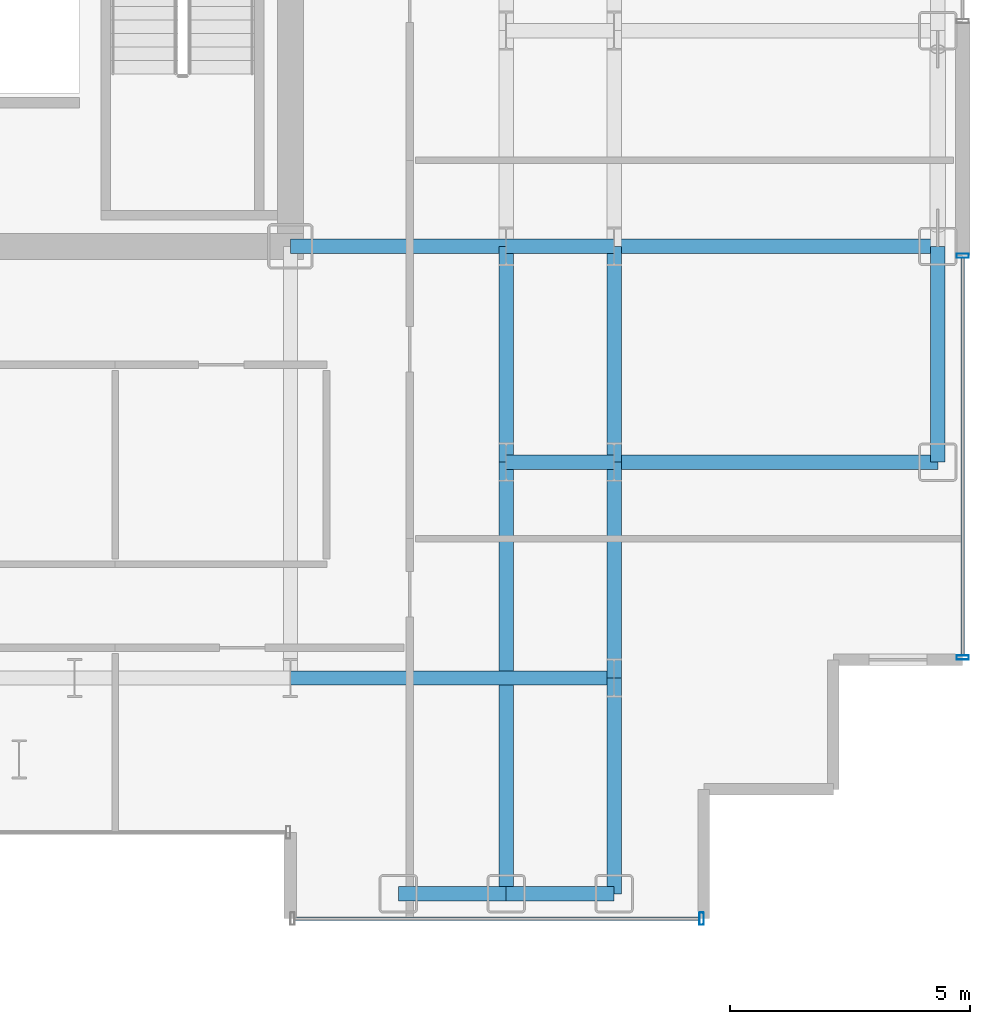
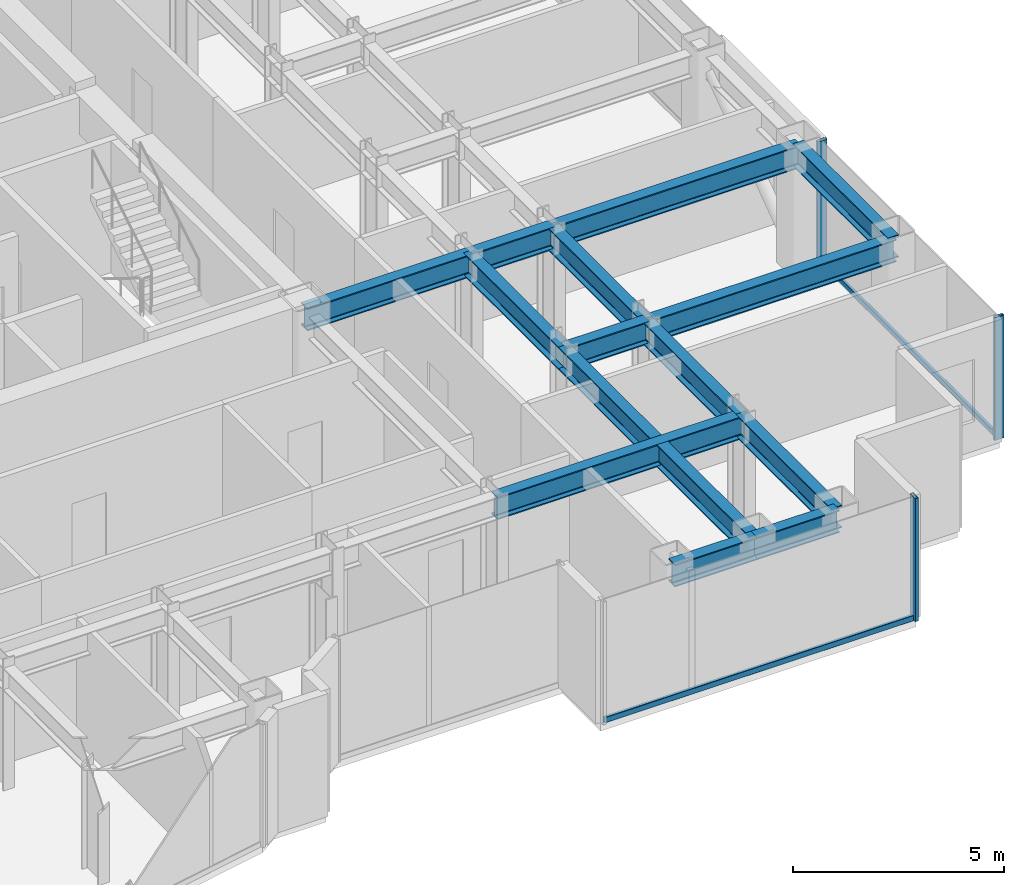
# One storey, part 10 of 26: 14 beams, 5 members, 2 elements without a shape of their own.
"""IFC4 building model written with IfcOpenShell, lengths in metres."""

from ifc_helpers import new_model, si_unit, direction, frame, origin, origin_2d, place, context, subcontext, project, spatial, hollow_rectangle, i_section, extrude, source, transform, mapped, material, layer, layer_set, material_profile, profile_set, type_object, element, aggregate, save


model = new_model("IFC4")

# Units and contexts
model_context = context("Model", 3, precision=1e-05, world=origin(), true_north=direction((0.0, 1.0)))
body_context = subcontext(model_context, "Body", "Model", "MODEL_VIEW")
ifc_project = project(units=[si_unit("LENGTHUNIT", "METRE"), si_unit("AREAUNIT", "SQUARE_METRE"), si_unit("VOLUMEUNIT", "CUBIC_METRE"), si_unit("PLANEANGLEUNIT", "RADIAN"), si_unit("MASSUNIT", "GRAM", prefix="KILO")], contexts=[model_context])

# Site, building, storey
site_placement = place(None, origin())
site = spatial("IfcSite", under=ifc_project, at=site_placement, CompositionType="ELEMENT")
building_placement = place(site_placement, origin())
building = spatial("IfcBuilding", under=site, at=building_placement, Name="Nefas-Gora Pilgrimage Tower", CompositionType="ELEMENT")
storey_placement = place(building_placement, frame((0.0, 0.0, 160.199951171875)))
storey = spatial("IfcBuildingStorey", under=building, at=storey_placement, Name="L39", CompositionType="ELEMENT", Elevation=160.199951171875)

# Beams
ifc_material_1 = material(Name="Steel S355", Category="steel")
ifc_material_profile_1 = material_profile(ifc_material_1, i_section(OverallWidth=0.300048828125, OverallDepth=0.64990234375, WebThickness=0.01611328125, FlangeThickness=0.031005859375, FilletRadius=0.027099609375, at=origin_2d()), Name="HEB 650")
ifc_profile_set_1 = profile_set([ifc_material_profile_1], Name="Steel S355")
beam_type_1 = type_object("IfcBeamType", Name="BM-SPN-HEB500", PredefinedType="SPANDREL", material=ifc_profile_set_1)
shared_shape_1 = source(origin(), body_context, "Body", "SweptSolid", [
    extrude(i_section(OverallWidth=0.300048828125, OverallDepth=0.64990234375, WebThickness=0.01611328125, FlangeThickness=0.031005859375, FilletRadius=0.027099609375, at=origin_2d()), origin(), (0.0, 0.0, 1.0), 4.5),
])
beam_1_placement = place(storey_placement, frame((24.75, -13.5, 3.22509765625), z_axis=(0.0, 1.0, 0.0), x_axis=(-1.0, 0.0, 0.0)))
element("IfcBeam", 1, at=beam_1_placement, inside=storey, type_object=beam_type_1, Name="L39 SP-02 beam", PredefinedType="SPANDREL", context=body_context, shape_type="MappedRepresentation", body=[
    mapped(shared_shape_1, transform((0.0, 0.0, 0.0), x_axis=(1.0, 0.0, 0.0), y_axis=(0.0, 1.0, 0.0), z_axis=(0.0, 0.0, 1.0), scale=1.0)),
])
ifc_material_profile_2 = material_profile(ifc_material_1, i_section(OverallWidth=0.300048828125, OverallDepth=0.64990234375, WebThickness=0.01611328125, FlangeThickness=0.031005859375, FilletRadius=0.027099609375, at=origin_2d()), Name="HEB 650")
ifc_profile_set_2 = profile_set([ifc_material_profile_2], Name="Steel S355")
beam_type_2 = type_object("IfcBeamType", Name="BM-GIR-HEB650", PredefinedType="BEAM", material=ifc_profile_set_2)
shared_shape_2 = source(origin(), body_context, "Body", "SweptSolid", [
    extrude(i_section(OverallWidth=0.300048828125, OverallDepth=0.64990234375, WebThickness=0.01611328125, FlangeThickness=0.031005859375, FilletRadius=0.027099609375, at=origin_2d()), origin(), (0.0, 0.0, 1.0), 9.0),
])
beam_2_placement = place(storey_placement, frame((15.75, -22.5, 3.22509765625), z_axis=(0.0, 1.0, 0.0), x_axis=(-1.0, 0.0, 0.0)))
element("IfcBeam", 2, at=beam_2_placement, inside=storey, type_object=beam_type_2, Name="L39 G-03 beam", PredefinedType="BEAM", context=body_context, shape_type="MappedRepresentation", body=[
    mapped(shared_shape_2, transform((0.0, 0.0, 0.0), x_axis=(1.0, 0.0, 0.0), y_axis=(0.0, 1.0, 0.0), z_axis=(0.0, 0.0, 1.0), scale=1.0)),
])
shared_shape_3 = source(origin(), body_context, "Body", "SweptSolid", [
    extrude(i_section(OverallWidth=0.300048828125, OverallDepth=0.64990234375, WebThickness=0.01611328125, FlangeThickness=0.031005859375, FilletRadius=0.027099609375, at=origin_2d()), origin(), (0.0, 0.0, 1.0), 4.5),
])
for number, where, z_axis, x_axis, name in (
    (3, (11.25, -9.0, 3.22509765625), (1.0, 0.0, 0.0), (0.0, 1.0, 0.0), "L39 G-03 beam"),
    (4, (15.75, -13.5, 3.22509765625), (0.0, 1.0, 0.0), (-1.0, 0.0, 0.0), "L39 G-03 beam"),
    (5, (18.0, -22.5, 3.22509765625), (0.0, 1.0, 0.0), (-1.0, 0.0, 0.0), "L39 G-03 beam"),
    (6, (18.0, -18.0, 3.22509765625), (0.0, 1.0, 0.0), (-1.0, 0.0, 0.0), "L39 G-03 beam"),
    (7, (18.0, -13.5, 3.22509765625), (0.0, 1.0, 0.0), (-1.0, 0.0, 0.0), "L39 G-03 beam"),
):
    element("IfcBeam", number, at=place(storey_placement, frame(where, z_axis=z_axis, x_axis=x_axis)), inside=storey, type_object=beam_type_2, Name=name, PredefinedType="BEAM", context=body_context, shape_type="MappedRepresentation", body=[
        mapped(shared_shape_3, transform((0.0, 0.0, 0.0), x_axis=(1.0, 0.0, 0.0), y_axis=(0.0, 1.0, 0.0), z_axis=(0.0, 0.0, 1.0), scale=1.0)),
    ])
shared_shape_4 = source(origin(), body_context, "Body", "SweptSolid", [
    extrude(i_section(OverallWidth=0.300048828125, OverallDepth=0.64990234375, WebThickness=0.01611328125, FlangeThickness=0.031005859375, FilletRadius=0.027099609375, at=origin_2d()), origin(), (0.0, 0.0, 1.0), 6.75),
])
for number, where, z_axis, x_axis, name in (
    (8, (11.25, -18.0, 3.22509765625), (1.0, 0.0, 0.0), (0.0, 1.0, 0.0), "L39 G-03 beam"),
    (9, (18.0, -13.5, 3.22509765625), (1.0, 0.0, 0.0), (0.0, 1.0, 0.0), "L39 G-03 beam"),
    (10, (18.0, -9.0, 3.22509765625), (1.0, 0.0, 0.0), (0.0, 1.0, 0.0), "L39 G-03 beam"),
):
    element("IfcBeam", number, at=place(storey_placement, frame(where, z_axis=z_axis, x_axis=x_axis)), inside=storey, type_object=beam_type_2, Name=name, PredefinedType="BEAM", context=body_context, shape_type="MappedRepresentation", body=[
        mapped(shared_shape_4, transform((0.0, 0.0, 0.0), x_axis=(1.0, 0.0, 0.0), y_axis=(0.0, 1.0, 0.0), z_axis=(0.0, 0.0, 1.0), scale=1.0)),
    ])
shared_shape_5 = source(origin(), body_context, "Body", "SweptSolid", [
    extrude(i_section(OverallWidth=0.300048828125, OverallDepth=0.64990234375, WebThickness=0.01611328125, FlangeThickness=0.031005859375, FilletRadius=0.027099609375, at=origin_2d()), origin(), (0.0, 0.0, 1.0), 2.25),
])
for number, where, z_axis, x_axis, name in (
    (11, (13.5, -22.5, 3.22509765625), (1.0, 0.0, 0.0), (0.0, 1.0, 0.0), "L39 SP-02 beam"),
    (12, (15.75, -22.5, 3.22509765625), (1.0, 0.0, 0.0), (0.0, 1.0, 0.0), "L39 SP-02 beam"),
):
    element("IfcBeam", number, at=place(storey_placement, frame(where, z_axis=z_axis, x_axis=x_axis)), inside=storey, type_object=beam_type_1, Name=name, PredefinedType="SPANDREL", context=body_context, shape_type="MappedRepresentation", body=[
        mapped(shared_shape_5, transform((0.0, 0.0, 0.0), x_axis=(1.0, 0.0, 0.0), y_axis=(0.0, 1.0, 0.0), z_axis=(0.0, 0.0, 1.0), scale=1.0)),
    ])
shared_shape_6 = source(origin(), body_context, "Body", "SweptSolid", [
    extrude(i_section(OverallWidth=0.300048828125, OverallDepth=0.64990234375, WebThickness=0.01611328125, FlangeThickness=0.031005859375, FilletRadius=0.027099609375, at=origin_2d()), origin(), (0.0, 0.0, 1.0), 2.25),
])
for number, where, z_axis, x_axis, name in (
    (13, (15.75, -13.5, 3.22509765625), (1.0, 0.0, 0.0), (0.0, 1.0, 0.0), "L39 G-03 beam"),
    (14, (15.75, -9.0, 3.22509765625), (1.0, 0.0, 0.0), (0.0, 1.0, 0.0), "L39 G-03 beam"),
):
    element("IfcBeam", number, at=place(storey_placement, frame(where, z_axis=z_axis, x_axis=x_axis)), inside=storey, type_object=beam_type_2, Name=name, PredefinedType="BEAM", context=body_context, shape_type="MappedRepresentation", body=[
        mapped(shared_shape_6, transform((0.0, 0.0, 0.0), x_axis=(1.0, 0.0, 0.0), y_axis=(0.0, 1.0, 0.0), z_axis=(0.0, 0.0, 1.0), scale=1.0)),
    ])

# Curtain wall, member
ifc_material_2 = material(Name="Dark ceramic-fritted solar-control aluminium-glass curtain wall", Category="aluminium")
ifc_layer = layer(ifc_material_2, 0.219970703125)
ifc_layer_set = layer_set([ifc_layer], Name="Dark ceramic-fritted solar-control aluminium-glass curtain wall")
curtain_wall_type = type_object("IfcCurtainWallType", Name="CW-SYS-3", PredefinedType="NOTDEFINED", material=ifc_layer_set)
curtain_wall_1_placement = place(storey_placement, origin())
curtain_wall_1 = element("IfcCurtainWall", 15, at=curtain_wall_1_placement, inside=storey, type_object=curtain_wall_type, Name="L39 Unitised Curtain Wall CW3", PredefinedType="NOTDEFINED")
ifc_material_3 = material(Name="Anodised architectural aluminium", Category="aluminium")
ifc_material_profile_3 = material_profile(ifc_material_3, hollow_rectangle(XDim=0.090087890625, YDim=0.260009765625, WallThickness=0.006103515625, InnerFilletRadius=0.006103515625, OuterFilletRadius=0.011962890625, at=origin_2d()), Name="ALU MULLION 90x260")
ifc_profile_set_3 = profile_set([ifc_material_profile_3], Name="Anodised architectural aluminium")
member_type_1 = type_object("IfcMemberType", Name="CWM-MUL-3", PredefinedType="MULLION", material=ifc_profile_set_3)
shared_shape_7 = source(origin(), body_context, "Body", "SweptSolid", [
    extrude(hollow_rectangle(XDim=0.090087890625, YDim=0.260009765625, WallThickness=0.006103515625, InnerFilletRadius=0.006103515625, OuterFilletRadius=0.011962890625, at=origin_2d()), origin(), (0.0, 0.0, 1.0), 3.550048828125),
])
member_1_placement = place(storey_placement, frame((19.824951171875, -23.02001953125, 0.0), z_axis=(0.0, 0.0, 1.0), x_axis=(1.0, 0.0, 0.0)))
member_1 = element("IfcMember", 16, at=member_1_placement, type_object=member_type_1, Name="CW3 Mullion 2", PredefinedType="MULLION", context=body_context, shape_type="MappedRepresentation", body=[
    mapped(shared_shape_7, transform((0.0, 0.0, 0.0), x_axis=(1.0, 0.0, 0.0), y_axis=(0.0, 1.0, 0.0), z_axis=(0.0, 0.0, 1.0), scale=1.0)),
])

# Curtain wall, members
curtain_wall_2_placement = place(storey_placement, origin())
curtain_wall_2 = element("IfcCurtainWall", 17, at=curtain_wall_2_placement, inside=storey, type_object=curtain_wall_type, Name="L39 Unitised Curtain Wall CW3", PredefinedType="NOTDEFINED")
member_2_placement = place(storey_placement, frame((25.27001953125, -17.574951171875, 0.0), z_axis=(0.0, 0.0, 1.0), x_axis=(0.0, 1.0, 0.0)))
member_2 = element("IfcMember", 18, at=member_2_placement, type_object=member_type_1, Name="CW3 Mullion 1", PredefinedType="MULLION", context=body_context, shape_type="MappedRepresentation", body=[
    mapped(shared_shape_7, transform((0.0, 0.0, 0.0), x_axis=(1.0, 0.0, 0.0), y_axis=(0.0, 1.0, 0.0), z_axis=(0.0, 0.0, 1.0), scale=1.0)),
])
member_3_placement = place(storey_placement, frame((25.27001953125, -9.195068359375, 0.0), z_axis=(0.0, 0.0, 1.0), x_axis=(0.0, 1.0, 0.0)))
member_3 = element("IfcMember", 19, at=member_3_placement, type_object=member_type_1, Name="CW3 Mullion 2", PredefinedType="MULLION", context=body_context, shape_type="MappedRepresentation", body=[
    mapped(shared_shape_7, transform((0.0, 0.0, 0.0), x_axis=(1.0, 0.0, 0.0), y_axis=(0.0, 1.0, 0.0), z_axis=(0.0, 0.0, 1.0), scale=1.0)),
])

# Member
ifc_material_profile_4 = material_profile(ifc_material_3, hollow_rectangle(XDim=0.080078125, YDim=0.159912109375, WallThickness=0.00439453125, InnerFilletRadius=0.00439453125, OuterFilletRadius=0.009033203125, at=origin_2d()), Name="ALU TRANSOM 80x160")
ifc_profile_set_4 = profile_set([ifc_material_profile_4], Name="Anodised architectural aluminium")
member_type_2 = type_object("IfcMemberType", Name="CWM-TRN-3", PredefinedType="USERDEFINED", material=ifc_profile_set_4)
shared_shape_8 = source(origin(), body_context, "Body", "SweptSolid", [
    extrude(hollow_rectangle(XDim=0.080078125, YDim=0.159912109375, WallThickness=0.00439453125, InnerFilletRadius=0.00439453125, OuterFilletRadius=0.009033203125, at=origin_2d()), origin(), (0.0, 0.0, 1.0), 8.43994140625),
])
member_4_placement = place(storey_placement, frame((11.340087890625, -23.02001953125, 0.050048828125), z_axis=(1.0, 0.0, 0.0), x_axis=(0.0, 1.0, 0.0)))
member_4 = element("IfcMember", 20, at=member_4_placement, type_object=member_type_2, Name="CW3 Spandrel Transom", ObjectType="TRANSOM", PredefinedType="USERDEFINED", context=body_context, shape_type="MappedRepresentation", body=[
    mapped(shared_shape_8, transform((0.0, 0.0, 0.0), x_axis=(1.0, 0.0, 0.0), y_axis=(0.0, 1.0, 0.0), z_axis=(0.0, 0.0, 1.0), scale=1.0)),
])

aggregate(curtain_wall_1, [member_1, member_4])

shared_shape_9 = source(origin(), body_context, "Body", "SweptSolid", [
    extrude(hollow_rectangle(XDim=0.080078125, YDim=0.159912109375, WallThickness=0.00439453125, InnerFilletRadius=0.00439453125, OuterFilletRadius=0.009033203125, at=origin_2d()), origin(), (0.0, 0.0, 1.0), 8.2900390625),
])
member_5_placement = place(storey_placement, frame((25.27001953125, -17.530029296875, 0.050048828125), z_axis=(0.0, 1.0, 0.0), x_axis=(-1.0, 0.0, 0.0)))
member_5 = element("IfcMember", 21, at=member_5_placement, type_object=member_type_2, Name="CW3 Spandrel Transom", ObjectType="TRANSOM", PredefinedType="USERDEFINED", context=body_context, shape_type="MappedRepresentation", body=[
    mapped(shared_shape_9, transform((0.0, 0.0, 0.0), x_axis=(1.0, 0.0, 0.0), y_axis=(0.0, 1.0, 0.0), z_axis=(0.0, 0.0, 1.0), scale=1.0)),
])

aggregate(curtain_wall_2, [member_2, member_3, member_5])

save(model, "model.ifc")
